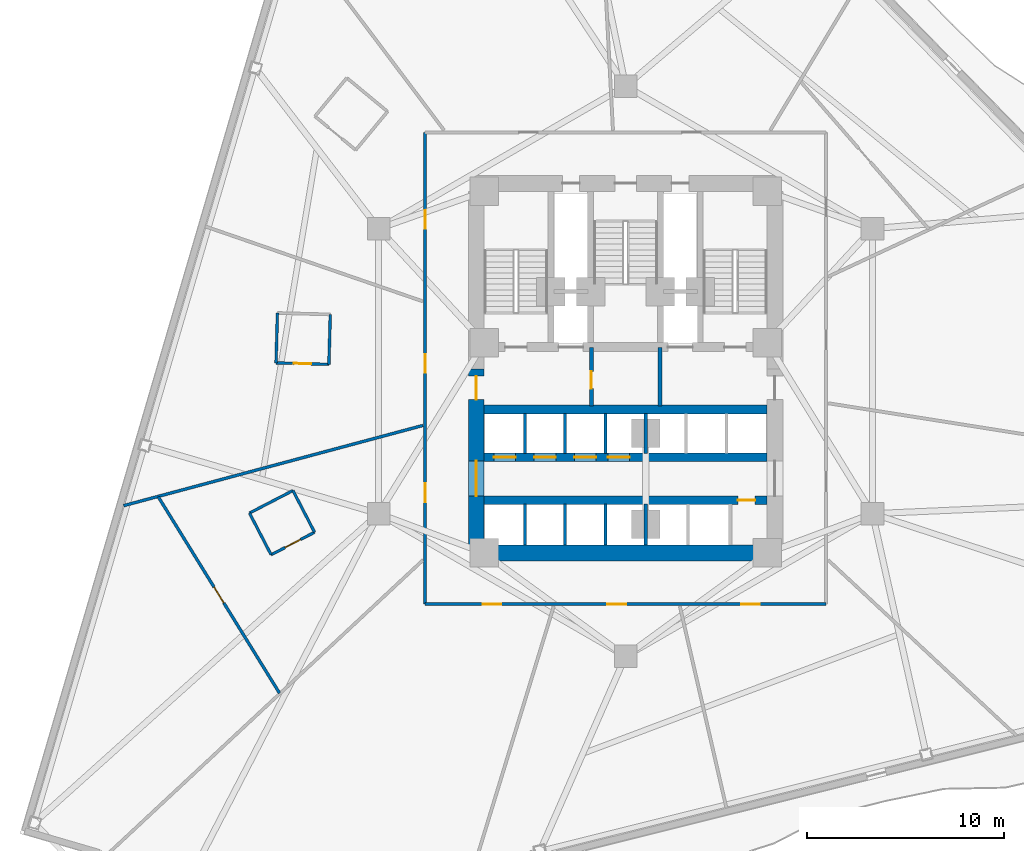
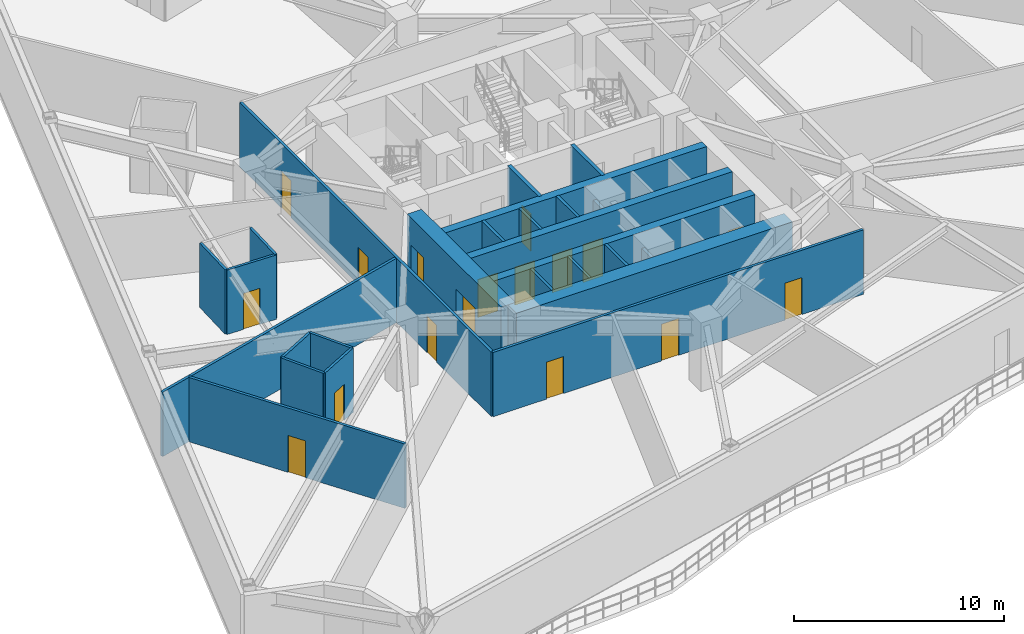
# One storey, part 3 of 9: 26 walls, 17 doors, 17 openings.
"""IFC4 building model written with IfcOpenShell, lengths in metres."""

from ifc_helpers import new_model, si_unit, direction, frame, frame_2d, origin, place, context, subcontext, project, spatial, rectangle, extrude, material, layer, layer_set, type_object, element, fill, save


model = new_model("IFC4")

# Units and contexts
model_context = context("Model", 3, precision=1e-05, world=origin(), true_north=direction((0.0, 1.0)))
body_context = subcontext(model_context, "Body", "Model", "MODEL_VIEW")
ifc_project = project(units=[si_unit("LENGTHUNIT", "METRE"), si_unit("AREAUNIT", "SQUARE_METRE"), si_unit("VOLUMEUNIT", "CUBIC_METRE"), si_unit("PLANEANGLEUNIT", "RADIAN"), si_unit("MASSUNIT", "GRAM", prefix="KILO")], contexts=[model_context])

# Site, building, storey
site_placement = place(None, origin())
site = spatial("IfcSite", under=ifc_project, at=site_placement, CompositionType="ELEMENT")
building_placement = place(site_placement, origin())
building = spatial("IfcBuilding", under=site, at=building_placement, Name="Apsidion Concourse Tower", CompositionType="ELEMENT")
storey_placement = place(building_placement, frame((0.0, 0.0, 111.0)))
storey = spatial("IfcBuildingStorey", under=building, at=storey_placement, Name="L25", CompositionType="ELEMENT", Elevation=111.0)

# Walls
ifc_material_1 = material(Name="Gypsum plasterboard partition")
ifc_layer_1 = layer(ifc_material_1, 0.139892578125)
ifc_layer_set_1 = layer_set([ifc_layer_1], Name="Gypsum plasterboard partition")
wall_type_1 = type_object("IfcWallType", Name="WL-INT-PAR-140", PredefinedType="PARTITIONING", material=ifc_layer_set_1)
wall_1_placement = place(storey_placement, frame((-16.921875, -6.073486328125, 0.0), z_axis=(0.0, 0.0, 1.0), x_axis=(-0.887781243054, -0.460265645559, 0.0)))
element("IfcWall", 1, at=wall_1_placement, inside=storey, type_object=wall_type_1, Name="L25 Interior Partition WL-L25-POD-HKAWC-S1", PredefinedType="PARTITIONING", context=body_context, shape_type="SweptSolid", body=[
    extrude(rectangle(XDim=2.48974609375, YDim=0.139892578125, at=frame_2d((1.244873046875, 0.0))), origin(), (0.0, 0.0, 1.0), 3.75),
])
wall_2_placement = place(storey_placement, frame((-19.13232421875, -7.219482421875, 0.0), z_axis=(0.0, 0.0, 1.0), x_axis=(0.460200871333, -0.887814821922, 0.0)))
element("IfcWall", 2, at=wall_2_placement, inside=storey, type_object=wall_type_1, Name="L25 Interior Partition WL-L25-POD-HKAWC-S2", PredefinedType="PARTITIONING", context=body_context, shape_type="SweptSolid", body=[
    extrude(rectangle(XDim=2.389892578125, YDim=0.139892578125, at=frame_2d((1.19482421875, 0.0))), origin(), (0.0, 0.0, 1.0), 3.75),
])

# Wall, opening, door
wall_3_placement = place(storey_placement, frame((-18.032470703125, -9.34130859375, 0.0), z_axis=(0.0, 0.0, 1.0), x_axis=(0.887821307868, 0.460188358496, 0.0)))
wall_3 = element("IfcWall", 3, at=wall_3_placement, inside=storey, type_object=wall_type_1, Name="L25 Interior Partition WL-L25-POD-HKAWC-S3", PredefinedType="PARTITIONING", context=body_context, shape_type="SweptSolid", body=[
    extrude(rectangle(XDim=2.48974609375, YDim=0.139892578125, at=frame_2d((1.244873046875, 0.0))), origin(), (0.0, 0.0, 1.0), 3.75),
])
opening_1_placement = place(wall_3_placement, frame((0.804931640625, 0.0, 0.0)))
opening_1 = element("IfcOpeningElement", 4, at=opening_1_placement, cuts=wall_3, Name="Opening D-03L", PredefinedType="OPENING", context=body_context, shape_type="SweptSolid", body=[
    extrude(rectangle(XDim=0.8798828125, YDim=2.10009765625, at=frame_2d((0.43994140625, 1.050048828125))), frame((0.0, 0.080078125, 0.0), z_axis=(0.0, -1.0, 0.0), x_axis=(1.0, 0.0, 0.0)), (0.0, 0.0, 1.0), 0.159912109375),
])
ifc_material_2 = material(Name="Anodised aluminium EN AW-6063 T6", Category="aluminium")
door_type_1 = type_object("IfcDoorType", Name="DR-INT-D03L", OperationType="SINGLE_SWING_LEFT", PredefinedType="DOOR", material=ifc_material_2)
door_1_placement = place(opening_1_placement, origin())
door_1 = element("IfcDoor", 5, at=door_1_placement, inside=storey, type_object=door_type_1, Name="L25 Hotel Accessible WC Door HKAWC", OperationType="SINGLE_SWING_LEFT", OverallHeight=2.10009765625, OverallWidth=0.8798828125, PredefinedType="DOOR", context=body_context, shape_type="SweptSolid", body=[
    extrude(rectangle(XDim=0.8798828125, YDim=2.10009765625, at=frame_2d((0.43994140625, 1.050048828125))), frame((0.0, 0.02490234375, 0.0), z_axis=(0.0, -1.0, 0.0), x_axis=(1.0, 0.0, 0.0)), (0.0, 0.0, 1.0), 0.050048828125),
])
fill(opening_1, door_1)

# Walls
wall_4_placement = place(storey_placement, frame((-15.822021484375, -8.195556640625, 0.0), z_axis=(0.0, 0.0, 1.0), x_axis=(-0.460159137491, 0.887836453511, 0.0)))
element("IfcWall", 6, at=wall_4_placement, inside=storey, type_object=wall_type_1, Name="L25 Interior Partition WL-L25-POD-HKAWC-S4", PredefinedType="PARTITIONING", context=body_context, shape_type="SweptSolid", body=[
    extrude(rectangle(XDim=2.39013671875, YDim=0.139892578125, at=frame_2d((1.195068359375, 0.0))), origin(), (0.0, 0.0, 1.0), 3.75),
])
wall_5_placement = place(storey_placement, frame((-17.711181640625, 2.959716796875, 0.0), z_axis=(0.0, 0.0, 1.0), x_axis=(-0.027873780836, -0.999611450686, 0.0)))
element("IfcWall", 7, at=wall_5_placement, inside=storey, type_object=wall_type_1, Name="L25 Interior Partition WL-L25-POD-ENS10-S2", PredefinedType="PARTITIONING", context=body_context, shape_type="SweptSolid", body=[
    extrude(rectangle(XDim=2.5400390625, YDim=0.139892578125, at=frame_2d((1.27001953125, 0.0))), origin(), (0.0, 0.0, 1.0), 3.75),
])

# Wall, opening, door
wall_6_placement = place(storey_placement, frame((-17.781982421875, 0.420654296875, 0.0), z_axis=(0.0, 0.0, 1.0), x_axis=(0.999609225093, -0.027953481145, 0.0)))
wall_6 = element("IfcWall", 8, at=wall_6_placement, inside=storey, type_object=wall_type_1, Name="L25 Interior Partition WL-L25-POD-ENS10-S3", PredefinedType="PARTITIONING", context=body_context, shape_type="SweptSolid", body=[
    extrude(rectangle(XDim=2.68994140625, YDim=0.139892578125, at=frame_2d((1.344970703125, 0.0))), origin(), (0.0, 0.0, 1.0), 3.75),
])
opening_2_placement = place(wall_6_placement, frame((0.905029296875, 0.0, 0.0)))
opening_2 = element("IfcOpeningElement", 9, at=opening_2_placement, cuts=wall_6, Name="Opening D-03L", PredefinedType="OPENING", context=body_context, shape_type="SweptSolid", body=[
    extrude(rectangle(XDim=0.8798828125, YDim=2.10009765625, at=frame_2d((0.43994140625, 1.050048828125))), frame((0.0, 0.080078125, 0.0), z_axis=(0.0, -1.0, 0.0), x_axis=(1.0, 0.0, 0.0)), (0.0, 0.0, 1.0), 0.159912109375),
])
door_2_placement = place(opening_2_placement, origin())
door_2 = element("IfcDoor", 10, at=door_2_placement, inside=storey, type_object=door_type_1, Name="L25 Guest En-Suite Bathroom Door ENS10", OperationType="SINGLE_SWING_LEFT", OverallHeight=2.10009765625, OverallWidth=0.8798828125, PredefinedType="DOOR", context=body_context, shape_type="SweptSolid", body=[
    extrude(rectangle(XDim=0.8798828125, YDim=2.10009765625, at=frame_2d((0.43994140625, 1.050048828125))), frame((0.0, 0.02490234375, 0.0), z_axis=(0.0, -1.0, 0.0), x_axis=(1.0, 0.0, 0.0)), (0.0, 0.0, 1.0), 0.050048828125),
])
fill(opening_2, door_2)

# Walls
wall_7_placement = place(storey_placement, frame((-15.093017578125, 0.345458984375, 0.0), z_axis=(0.0, 0.0, 1.0), x_axis=(0.027873780836, 0.999611450686, 0.0)))
element("IfcWall", 11, at=wall_7_placement, inside=storey, type_object=wall_type_1, Name="L25 Interior Partition WL-L25-POD-ENS10-S4", PredefinedType="PARTITIONING", context=body_context, shape_type="SweptSolid", body=[
    extrude(rectangle(XDim=2.5400390625, YDim=0.139892578125, at=frame_2d((1.27001953125, 0.0))), origin(), (0.0, 0.0, 1.0), 3.75),
])
ifc_layer_2 = layer(ifc_material_1, 0.14990234375)
ifc_layer_set_2 = layer_set([ifc_layer_2], Name="Gypsum plasterboard partition")
wall_type_2 = type_object("IfcWallType", Name="WL-INT-PAR-150", PredefinedType="PARTITIONING", material=ifc_layer_set_2)
for number, where, z_axis, x_axis, name in (
    (12, (-5.125, -4.179931640625, 0.0), (0.0, 0.0, 1.0), (0.0, 1.0, 0.0), "L25 Interior Partition WL-L25-B1DIV-1"),
    (13, (-3.074951171875, -4.179931640625, 0.0), (0.0, 0.0, 1.0), (0.0, 1.0, 0.0), "L25 Interior Partition WL-L25-B1DIV-2"),
    (14, (-1.02490234375, -4.179931640625, 0.0), (0.0, 0.0, 1.0), (0.0, 1.0, 0.0), "L25 Interior Partition WL-L25-B1DIV-3"),
):
    element("IfcWall", number, at=place(storey_placement, frame(where, z_axis=z_axis, x_axis=x_axis)), inside=storey, type_object=wall_type_2, Name=name, PredefinedType="PARTITIONING", context=body_context, shape_type="SweptSolid", body=[
        extrude(rectangle(XDim=2.030029296875, YDim=0.14990234375, at=frame_2d((1.01513671875, 0.0))), origin(), (0.0, 0.0, 1.0), 3.75),
    ])
for number, where, z_axis, x_axis, name in (
    (15, (-5.125, -8.85009765625, 0.0), (0.0, 0.0, 1.0), (0.0, 1.0, 0.0), "L25 Interior Partition WL-L25-B2DIV-1"),
    (16, (-3.074951171875, -8.85009765625, 0.0), (0.0, 0.0, 1.0), (0.0, 1.0, 0.0), "L25 Interior Partition WL-L25-B2DIV-2"),
    (17, (-1.02490234375, -8.85009765625, 0.0), (0.0, 0.0, 1.0), (0.0, 1.0, 0.0), "L25 Interior Partition WL-L25-B2DIV-3"),
):
    element("IfcWall", number, at=place(storey_placement, frame(where, z_axis=z_axis, x_axis=x_axis)), inside=storey, type_object=wall_type_2, Name=name, PredefinedType="PARTITIONING", context=body_context, shape_type="SweptSolid", body=[
        extrude(rectangle(XDim=2.080078125, YDim=0.14990234375, at=frame_2d((1.0400390625, 0.0))), origin(), (0.0, 0.0, 1.0), 3.75),
    ])

# Wall, openings, doors
wall_8_placement = place(storey_placement, frame((10.199951171875, -11.85009765625, 0.0), z_axis=(0.0, 0.0, 1.0), x_axis=(-1.0, 0.0, 0.0)))
wall_8 = element("IfcWall", 18, at=wall_8_placement, inside=storey, type_object=wall_type_2, Name="L25 Interior Partition WL-L25-CORR-03", PredefinedType="PARTITIONING", context=body_context, shape_type="SweptSolid", body=[
    extrude(rectangle(XDim=20.39990234375, YDim=0.14990234375, at=frame_2d((10.199951171875, 0.0))), origin(), (0.0, 0.0, 1.0), 3.75),
])
opening_3_placement = place(wall_8_placement, frame((16.522216796875, 0.0, 0.0)))
opening_3 = element("IfcOpeningElement", 19, at=opening_3_placement, cuts=wall_8, Name="Opening D-01R", PredefinedType="OPENING", context=body_context, shape_type="SweptSolid", body=[
    extrude(rectangle(XDim=0.949951171875, YDim=2.14990234375, at=frame_2d((0.47509765625, 1.074951171875))), frame((0.0, 0.0849609375, 0.0), z_axis=(0.0, -1.0, 0.0), x_axis=(1.0, 0.0, 0.0)), (0.0, 0.0, 1.0), 0.169921875),
])
opening_4_placement = place(wall_8_placement, frame((10.171875, 0.0, 0.0)))
opening_4 = element("IfcOpeningElement", 20, at=opening_4_placement, cuts=wall_8, Name="Opening D-01L", PredefinedType="OPENING", context=body_context, shape_type="SweptSolid", body=[
    extrude(rectangle(XDim=0.949951171875, YDim=2.14990234375, at=frame_2d((0.47509765625, 1.074951171875))), frame((0.0, 0.0849609375, 0.0), z_axis=(0.0, -1.0, 0.0), x_axis=(1.0, 0.0, 0.0)), (0.0, 0.0, 1.0), 0.169921875),
])
opening_5_placement = place(wall_8_placement, frame((3.37451171875, 0.0, 0.0)))
opening_5 = element("IfcOpeningElement", 21, at=opening_5_placement, cuts=wall_8, Name="Opening D-01R", PredefinedType="OPENING", context=body_context, shape_type="SweptSolid", body=[
    extrude(rectangle(XDim=0.949951171875, YDim=2.14990234375, at=frame_2d((0.47509765625, 1.074951171875))), frame((0.0, 0.0849609375, 0.0), z_axis=(0.0, -1.0, 0.0), x_axis=(1.0, 0.0, 0.0)), (0.0, 0.0, 1.0), 0.169921875),
])
ifc_material_3 = material(Name="Brushed stainless steel 316", Category="steel")
door_type_2 = type_object("IfcDoorType", Name="DR-INT-D01L", OperationType="SINGLE_SWING_LEFT", PredefinedType="DOOR", material=ifc_material_3)
door_3_placement = place(opening_4_placement, origin())
door_3 = element("IfcDoor", 22, at=door_3_placement, inside=storey, type_object=door_type_2, Name="L25 Corridor Entry Door 03", OperationType="SINGLE_SWING_LEFT", OverallHeight=2.14990234375, OverallWidth=0.949951171875, PredefinedType="DOOR", context=body_context, shape_type="SweptSolid", body=[
    extrude(rectangle(XDim=0.949951171875, YDim=2.14990234375, at=frame_2d((0.47509765625, 1.074951171875))), frame((0.0, 0.02490234375, 0.0), z_axis=(0.0, -1.0, 0.0), x_axis=(1.0, 0.0, 0.0)), (0.0, 0.0, 1.0), 0.050048828125),
])
fill(opening_4, door_3)
door_type_3 = type_object("IfcDoorType", Name="DR-INT-D01R", OperationType="SINGLE_SWING_RIGHT", PredefinedType="DOOR", material=ifc_material_3)
door_4_placement = place(opening_3_placement, origin())
door_4 = element("IfcDoor", 23, at=door_4_placement, inside=storey, type_object=door_type_3, Name="L25 Corridor Entry Door 02", OperationType="SINGLE_SWING_RIGHT", OverallHeight=2.14990234375, OverallWidth=0.949951171875, PredefinedType="DOOR", context=body_context, shape_type="SweptSolid", body=[
    extrude(rectangle(XDim=0.949951171875, YDim=2.14990234375, at=frame_2d((0.47509765625, 1.074951171875))), frame((0.0, 0.02490234375, 0.0), z_axis=(0.0, -1.0, 0.0), x_axis=(1.0, 0.0, 0.0)), (0.0, 0.0, 1.0), 0.050048828125),
])
fill(opening_3, door_4)
door_5_placement = place(opening_5_placement, origin())
door_5 = element("IfcDoor", 24, at=door_5_placement, inside=storey, type_object=door_type_3, Name="L25 Corridor Entry Door 04", OperationType="SINGLE_SWING_RIGHT", OverallHeight=2.14990234375, OverallWidth=0.949951171875, PredefinedType="DOOR", context=body_context, shape_type="SweptSolid", body=[
    extrude(rectangle(XDim=0.949951171875, YDim=2.14990234375, at=frame_2d((0.47509765625, 1.074951171875))), frame((0.0, 0.02490234375, 0.0), z_axis=(0.0, -1.0, 0.0), x_axis=(1.0, 0.0, 0.0)), (0.0, 0.0, 1.0), 0.050048828125),
])
fill(opening_5, door_5)

wall_9_placement = place(storey_placement, frame((-10.199951171875, -11.85009765625, 0.0), z_axis=(0.0, 0.0, 1.0), x_axis=(0.0, 1.0, 0.0)))
wall_9 = element("IfcWall", 25, at=wall_9_placement, inside=storey, type_object=wall_type_2, Name="L25 Interior Partition WL-L25-CORR-04", PredefinedType="PARTITIONING", context=body_context, shape_type="SweptSolid", body=[
    extrude(rectangle(XDim=24.0, YDim=0.14990234375, at=frame_2d((12.0, 0.0))), origin(), (0.0, 0.0, 1.0), 3.75),
])
opening_6_placement = place(wall_9_placement, frame((5.1865234375, 0.0, 0.0)))
opening_6 = element("IfcOpeningElement", 26, at=opening_6_placement, cuts=wall_9, Name="Opening D-01L", PredefinedType="OPENING", context=body_context, shape_type="SweptSolid", body=[
    extrude(rectangle(XDim=0.949951171875, YDim=2.14990234375, at=frame_2d((0.47509765625, 1.074951171875))), frame((0.0, 0.0849609375, 0.0), z_axis=(0.0, -1.0, 0.0), x_axis=(1.0, 0.0, 0.0)), (0.0, 0.0, 1.0), 0.169921875),
])
opening_7_placement = place(wall_9_placement, frame((19.094482421875, 0.0, 0.0)))
opening_7 = element("IfcOpeningElement", 27, at=opening_7_placement, cuts=wall_9, Name="Opening D-01R", PredefinedType="OPENING", context=body_context, shape_type="SweptSolid", body=[
    extrude(rectangle(XDim=0.949951171875, YDim=2.14990234375, at=frame_2d((0.47509765625, 1.074951171875))), frame((0.0, 0.0849609375, 0.0), z_axis=(0.0, -1.0, 0.0), x_axis=(1.0, 0.0, 0.0)), (0.0, 0.0, 1.0), 0.169921875),
])
opening_8_placement = place(wall_9_placement, frame((11.767333984375, 0.0, 0.0)))
opening_8 = element("IfcOpeningElement", 28, at=opening_8_placement, cuts=wall_9, Name="Opening D-01L", PredefinedType="OPENING", context=body_context, shape_type="SweptSolid", body=[
    extrude(rectangle(XDim=0.949951171875, YDim=2.14990234375, at=frame_2d((0.47509765625, 1.074951171875))), frame((0.0, 0.0849609375, 0.0), z_axis=(0.0, -1.0, 0.0), x_axis=(1.0, 0.0, 0.0)), (0.0, 0.0, 1.0), 0.169921875),
])
door_6_placement = place(opening_6_placement, origin())
door_6 = element("IfcDoor", 29, at=door_6_placement, inside=storey, type_object=door_type_2, Name="L25 Corridor Entry Door 01", OperationType="SINGLE_SWING_LEFT", OverallHeight=2.14990234375, OverallWidth=0.949951171875, PredefinedType="DOOR", context=body_context, shape_type="SweptSolid", body=[
    extrude(rectangle(XDim=0.949951171875, YDim=2.14990234375, at=frame_2d((0.47509765625, 1.074951171875))), frame((0.0, 0.02490234375, 0.0), z_axis=(0.0, -1.0, 0.0), x_axis=(1.0, 0.0, 0.0)), (0.0, 0.0, 1.0), 0.050048828125),
])
fill(opening_6, door_6)
door_7_placement = place(opening_8_placement, origin())
door_7 = element("IfcDoor", 30, at=door_7_placement, inside=storey, type_object=door_type_2, Name="L25 Corridor Entry Door 11", OperationType="SINGLE_SWING_LEFT", OverallHeight=2.14990234375, OverallWidth=0.949951171875, PredefinedType="DOOR", context=body_context, shape_type="SweptSolid", body=[
    extrude(rectangle(XDim=0.949951171875, YDim=2.14990234375, at=frame_2d((0.47509765625, 1.074951171875))), frame((0.0, 0.02490234375, 0.0), z_axis=(0.0, -1.0, 0.0), x_axis=(1.0, 0.0, 0.0)), (0.0, 0.0, 1.0), 0.050048828125),
])
fill(opening_8, door_7)
door_8_placement = place(opening_7_placement, origin())
door_8 = element("IfcDoor", 31, at=door_8_placement, inside=storey, type_object=door_type_3, Name="L25 Corridor Entry Door 10", OperationType="SINGLE_SWING_RIGHT", OverallHeight=2.14990234375, OverallWidth=0.949951171875, PredefinedType="DOOR", context=body_context, shape_type="SweptSolid", body=[
    extrude(rectangle(XDim=0.949951171875, YDim=2.14990234375, at=frame_2d((0.47509765625, 1.074951171875))), frame((0.0, 0.02490234375, 0.0), z_axis=(0.0, -1.0, 0.0), x_axis=(1.0, 0.0, 0.0)), (0.0, 0.0, 1.0), 0.050048828125),
])
fill(opening_7, door_8)

# Wall
wall_10_placement = place(storey_placement, frame((-10.304931640625, -2.76123046875, 0.0), z_axis=(0.0, 0.0, 1.0), x_axis=(-0.965926903589, -0.258815024531, 0.0)))
element("IfcWall", 32, at=wall_10_placement, inside=storey, type_object=wall_type_2, Name="L25 Interior Partition WL-L25-RAD-06-1", PredefinedType="PARTITIONING", context=body_context, shape_type="SweptSolid", body=[
    extrude(rectangle(XDim=15.768310546875, YDim=0.14990234375, at=frame_2d((7.88427734375, 0.0))), origin(), (0.0, 0.0, 1.0), 3.75),
])

# Wall, opening, door
wall_11_placement = place(storey_placement, frame((-23.771240234375, -6.3955078125, 0.0), z_axis=(0.0, 0.0, 1.0), x_axis=(0.525453466411, -0.850822340232, 0.0)))
wall_11 = element("IfcWall", 33, at=wall_11_placement, inside=storey, type_object=wall_type_2, Name="L25 Interior Partition WL-L25-CHD-HKWC", PredefinedType="PARTITIONING", context=body_context, shape_type="SweptSolid", body=[
    extrude(rectangle(XDim=11.737060546875, YDim=0.14990234375, at=frame_2d((5.86865234375, 0.0))), origin(), (0.0, 0.0, 1.0), 3.75),
])
opening_9_placement = place(wall_11_placement, frame((5.3935546875, 0.0, 0.0)))
opening_9 = element("IfcOpeningElement", 34, at=opening_9_placement, cuts=wall_11, Name="Opening D-04R", PredefinedType="OPENING", context=body_context, shape_type="SweptSolid", body=[
    extrude(rectangle(XDim=0.949951171875, YDim=2.14990234375, at=frame_2d((0.47509765625, 1.074951171875))), frame((0.0, 0.0849609375, 0.0), z_axis=(0.0, -1.0, 0.0), x_axis=(1.0, 0.0, 0.0)), (0.0, 0.0, 1.0), 0.169921875),
])
door_type_4 = type_object("IfcDoorType", Name="DR-INT-D04R", OperationType="SINGLE_SWING_RIGHT", PredefinedType="DOOR", material=ifc_material_3)
door_9_placement = place(opening_9_placement, origin())
door_9 = element("IfcDoor", 35, at=door_9_placement, inside=storey, type_object=door_type_4, Name="L25 Suite Connecting Door HKWC", OperationType="SINGLE_SWING_RIGHT", OverallHeight=2.14990234375, OverallWidth=0.949951171875, PredefinedType="DOOR", context=body_context, shape_type="SweptSolid", body=[
    extrude(rectangle(XDim=0.949951171875, YDim=2.14990234375, at=frame_2d((0.47509765625, 1.074951171875))), frame((0.0, 0.02490234375, 0.0), z_axis=(0.0, -1.0, 0.0), x_axis=(1.0, 0.0, 0.0)), (0.0, 0.0, 1.0), 0.050048828125),
])
fill(opening_9, door_9)

# Walls
ifc_layer_3 = layer(ifc_material_1, 0.179931640625)
ifc_layer_set_3 = layer_set([ifc_layer_3], Name="Gypsum plasterboard partition")
wall_type_3 = type_object("IfcWallType", Name="WL-INT-PAR-180", PredefinedType="PARTITIONING", material=ifc_layer_set_3)
wall_12_placement = place(storey_placement, frame((1.02490234375, -4.179931640625, 0.0), z_axis=(0.0, 0.0, 1.0), x_axis=(0.0, 1.0, 0.0)))
element("IfcWall", 36, at=wall_12_placement, inside=storey, type_object=wall_type_3, Name="L25 Interior Partition WL-L25-B1END", PredefinedType="PARTITIONING", context=body_context, shape_type="SweptSolid", body=[
    extrude(rectangle(XDim=2.030029296875, YDim=0.179931640625, at=frame_2d((1.01513671875, 0.0))), origin(), (0.0, 0.0, 1.0), 2.798095703125),
])
wall_13_placement = place(storey_placement, frame((1.02490234375, -8.85009765625, 0.0), z_axis=(0.0, 0.0, 1.0), x_axis=(0.0, 1.0, 0.0)))
element("IfcWall", 37, at=wall_13_placement, inside=storey, type_object=wall_type_3, Name="L25 Interior Partition WL-L25-B2END", PredefinedType="PARTITIONING", context=body_context, shape_type="SweptSolid", body=[
    extrude(rectangle(XDim=2.080078125, YDim=0.179931640625, at=frame_2d((1.0400390625, 0.0))), origin(), (0.0, 0.0, 1.0), 2.798095703125),
])

# Wall, opening, door
ifc_layer_4 = layer(ifc_material_1, 0.199951171875)
ifc_layer_set_4 = layer_set([ifc_layer_4], Name="Gypsum plasterboard partition")
wall_type_4 = type_object("IfcWallType", Name="WL-INT-PAR-200", PredefinedType="PARTITIONING", material=ifc_layer_set_4)
wall_14_placement = place(storey_placement, frame((-1.739990234375, -1.780029296875, 0.0), z_axis=(0.0, 0.0, 1.0), x_axis=(0.0, 1.0, 0.0)))
wall_14 = element("IfcWall", 38, at=wall_14_placement, inside=storey, type_object=wall_type_4, Name="L25 Interior Partition WL-L25-FF1-E", PredefinedType="PARTITIONING", context=body_context, shape_type="SweptSolid", body=[
    extrude(rectangle(XDim=2.97998046875, YDim=0.199951171875, at=frame_2d((1.489990234375, 0.0))), origin(), (0.0, 0.0, 1.0), 3.75),
])
opening_10_placement = place(wall_14_placement, frame((0.889892578125, 0.0, 0.0)))
opening_10 = element("IfcOpeningElement", 39, at=opening_10_placement, cuts=wall_14, Name="Opening D-05R", PredefinedType="OPENING", context=body_context, shape_type="SweptSolid", body=[
    extrude(rectangle(XDim=0.8798828125, YDim=2.14990234375, at=frame_2d((0.43994140625, 1.074951171875))), frame((0.0, 0.10986328125, 0.0), z_axis=(0.0, -1.0, 0.0), x_axis=(1.0, 0.0, 0.0)), (0.0, 0.0, 1.0), 0.219970703125),
])
door_type_5 = type_object("IfcDoorType", Name="DR-INT-D05R", OperationType="SINGLE_SWING_RIGHT", PredefinedType="DOOR", material=ifc_material_3)
door_10_placement = place(opening_10_placement, origin())
door_10 = element("IfcDoor", 40, at=door_10_placement, inside=storey, type_object=door_type_5, Name="L25 Core BMS Door", OperationType="SINGLE_SWING_RIGHT", OverallHeight=2.14990234375, OverallWidth=0.8798828125, PredefinedType="DOOR", context=body_context, shape_type="SweptSolid", body=[
    extrude(rectangle(XDim=0.8798828125, YDim=2.14990234375, at=frame_2d((0.43994140625, 1.074951171875))), frame((0.0, 0.02490234375, 0.0), z_axis=(0.0, -1.0, 0.0), x_axis=(1.0, 0.0, 0.0)), (0.0, 0.0, 1.0), 0.050048828125),
])
fill(opening_10, door_10)

# Walls
wall_15_placement = place(storey_placement, frame((1.739990234375, -1.780029296875, 0.0), z_axis=(0.0, 0.0, 1.0), x_axis=(0.0, 1.0, 0.0)))
element("IfcWall", 41, at=wall_15_placement, inside=storey, type_object=wall_type_4, Name="L25 Interior Partition WL-L25-FF2-W", PredefinedType="PARTITIONING", context=body_context, shape_type="SweptSolid", body=[
    extrude(rectangle(XDim=2.97998046875, YDim=0.199951171875, at=frame_2d((1.489990234375, 0.0))), origin(), (0.0, 0.0, 1.0), 3.75),
])
ifc_material_4 = material(Name="Concrete C60/75", Category="concrete")
ifc_layer_5 = layer(ifc_material_4, 0.449951171875)
ifc_layer_set_5 = layer_set([ifc_layer_5], Name="Concrete C60/75")
wall_type_5 = type_object("IfcWallType", Name="WL-SH-450", PredefinedType="SHEAR", material=ifc_layer_set_5)
wall_16_placement = place(storey_placement, frame((-7.199951171875, -1.949951171875, 0.0), z_axis=(0.0, 0.0, 1.0), x_axis=(1.0, 0.0, 0.0)))
element("IfcWall", 42, at=wall_16_placement, inside=storey, type_object=wall_type_5, Name="L25 Central Core Shear Wall M2", PredefinedType="SHEAR", context=body_context, shape_type="SweptSolid", body=[
    extrude(rectangle(XDim=14.39990234375, YDim=0.449951171875, at=frame_2d((7.199951171875, 0.0))), origin(), (0.0, 0.0, 1.0), 3.75),
])

# Wall, openings, doors
wall_17_placement = place(storey_placement, frame((-7.199951171875, -4.3798828125, 0.0), z_axis=(0.0, 0.0, 1.0), x_axis=(1.0, 0.0, 0.0)))
wall_17 = element("IfcWall", 43, at=wall_17_placement, inside=storey, type_object=wall_type_5, Name="L25 Central Core Shear Wall LA", PredefinedType="SHEAR", context=body_context, shape_type="SweptSolid", body=[
    extrude(rectangle(XDim=14.39990234375, YDim=0.449951171875, at=frame_2d((7.199951171875, 0.0))), origin(), (0.0, 0.0, 1.0), 3.75),
])
opening_11_placement = place(wall_17_placement, frame((0.5, 0.0, 0.0)))
opening_11 = element("IfcOpeningElement", 44, at=opening_11_placement, cuts=wall_17, Name="Opening LD-P1", PredefinedType="OPENING", context=body_context, shape_type="SweptSolid", body=[
    extrude(rectangle(XDim=1.10009765625, YDim=2.199951171875, at=frame_2d((0.550048828125, 1.10009765625))), frame((0.0, 0.23486328125, 0.0), z_axis=(0.0, -1.0, 0.0), x_axis=(1.0, 0.0, 0.0)), (0.0, 0.0, 1.0), 0.469970703125),
])
opening_12_placement = place(wall_17_placement, frame((2.550048828125, 0.0, 0.0)))
opening_12 = element("IfcOpeningElement", 45, at=opening_12_placement, cuts=wall_17, Name="Opening LD-P1", PredefinedType="OPENING", context=body_context, shape_type="SweptSolid", body=[
    extrude(rectangle(XDim=1.10009765625, YDim=2.199951171875, at=frame_2d((0.550048828125, 1.10009765625))), frame((0.0, 0.23486328125, 0.0), z_axis=(0.0, -1.0, 0.0), x_axis=(1.0, 0.0, 0.0)), (0.0, 0.0, 1.0), 0.469970703125),
])
opening_13_placement = place(wall_17_placement, frame((4.60009765625, 0.0, 0.0)))
opening_13 = element("IfcOpeningElement", 46, at=opening_13_placement, cuts=wall_17, Name="Opening LD-P1", PredefinedType="OPENING", context=body_context, shape_type="SweptSolid", body=[
    extrude(rectangle(XDim=1.10009765625, YDim=2.199951171875, at=frame_2d((0.550048828125, 1.10009765625))), frame((0.0, 0.23486328125, 0.0), z_axis=(0.0, -1.0, 0.0), x_axis=(1.0, 0.0, 0.0)), (0.0, 0.0, 1.0), 0.469970703125),
])
opening_14_placement = place(wall_17_placement, frame((6.300048828125, 0.0, 0.0)))
opening_14 = element("IfcOpeningElement", 47, at=opening_14_placement, cuts=wall_17, Name="Opening LD-P1", PredefinedType="OPENING", context=body_context, shape_type="SweptSolid", body=[
    extrude(rectangle(XDim=1.10009765625, YDim=2.199951171875, at=frame_2d((0.550048828125, 1.10009765625))), frame((0.0, 0.23486328125, 0.0), z_axis=(0.0, -1.0, 0.0), x_axis=(1.0, 0.0, 0.0)), (0.0, 0.0, 1.0), 0.469970703125),
])
door_type_6 = type_object("IfcDoorType", Name="DR-LD-PASS", OperationType="DOUBLE_DOOR_SLIDING", PredefinedType="DOOR", material=ifc_material_3)
door_11_placement = place(opening_11_placement, origin())
door_11 = element("IfcDoor", 48, at=door_11_placement, inside=storey, type_object=door_type_6, Name="L25 Lift Landing Door P1", OperationType="DOUBLE_DOOR_SLIDING", OverallHeight=2.199951171875, OverallWidth=1.10009765625, PredefinedType="DOOR", context=body_context, shape_type="SweptSolid", body=[
    extrude(rectangle(XDim=1.10009765625, YDim=2.199951171875, at=frame_2d((0.550048828125, 1.10009765625))), frame((0.0, 0.02490234375, 0.0), z_axis=(0.0, -1.0, 0.0), x_axis=(1.0, 0.0, 0.0)), (0.0, 0.0, 1.0), 0.050048828125),
])
fill(opening_11, door_11)
door_12_placement = place(opening_12_placement, origin())
door_12 = element("IfcDoor", 49, at=door_12_placement, inside=storey, type_object=door_type_6, Name="L25 Lift Landing Door P2", OperationType="DOUBLE_DOOR_SLIDING", OverallHeight=2.199951171875, OverallWidth=1.10009765625, PredefinedType="DOOR", context=body_context, shape_type="SweptSolid", body=[
    extrude(rectangle(XDim=1.10009765625, YDim=2.199951171875, at=frame_2d((0.550048828125, 1.10009765625))), frame((0.0, 0.02490234375, 0.0), z_axis=(0.0, -1.0, 0.0), x_axis=(1.0, 0.0, 0.0)), (0.0, 0.0, 1.0), 0.050048828125),
])
fill(opening_12, door_12)
door_13_placement = place(opening_13_placement, origin())
door_13 = element("IfcDoor", 50, at=door_13_placement, inside=storey, type_object=door_type_6, Name="L25 Lift Landing Door P3", OperationType="DOUBLE_DOOR_SLIDING", OverallHeight=2.199951171875, OverallWidth=1.10009765625, PredefinedType="DOOR", context=body_context, shape_type="SweptSolid", body=[
    extrude(rectangle(XDim=1.10009765625, YDim=2.199951171875, at=frame_2d((0.550048828125, 1.10009765625))), frame((0.0, 0.02490234375, 0.0), z_axis=(0.0, -1.0, 0.0), x_axis=(1.0, 0.0, 0.0)), (0.0, 0.0, 1.0), 0.050048828125),
])
fill(opening_13, door_13)
door_14_placement = place(opening_14_placement, origin())
door_14 = element("IfcDoor", 51, at=door_14_placement, inside=storey, type_object=door_type_6, Name="L25 Lift Landing Door P4", OperationType="DOUBLE_DOOR_SLIDING", OverallHeight=2.199951171875, OverallWidth=1.10009765625, PredefinedType="DOOR", context=body_context, shape_type="SweptSolid", body=[
    extrude(rectangle(XDim=1.10009765625, YDim=2.199951171875, at=frame_2d((0.550048828125, 1.10009765625))), frame((0.0, 0.02490234375, 0.0), z_axis=(0.0, -1.0, 0.0), x_axis=(1.0, 0.0, 0.0)), (0.0, 0.0, 1.0), 0.050048828125),
])
fill(opening_14, door_14)

# Wall, opening, door
wall_18_placement = place(storey_placement, frame((-7.199951171875, -6.570068359375, 0.0), z_axis=(0.0, 0.0, 1.0), x_axis=(1.0, 0.0, 0.0)))
wall_18 = element("IfcWall", 52, at=wall_18_placement, inside=storey, type_object=wall_type_5, Name="L25 Central Core Shear Wall LB", PredefinedType="SHEAR", context=body_context, shape_type="SweptSolid", body=[
    extrude(rectangle(XDim=14.39990234375, YDim=0.449951171875, at=frame_2d((7.199951171875, 0.0))), origin(), (0.0, 0.0, 1.0), 3.75),
])
opening_15_placement = place(wall_18_placement, frame((12.909912109375, 0.0, 0.0)))
opening_15 = element("IfcOpeningElement", 53, at=opening_15_placement, cuts=wall_18, Name="Opening D-05L", PredefinedType="OPENING", context=body_context, shape_type="SweptSolid", body=[
    extrude(rectangle(XDim=0.8798828125, YDim=2.14990234375, at=frame_2d((0.43994140625, 1.074951171875))), frame((0.0, 0.23486328125, 0.0), z_axis=(0.0, -1.0, 0.0), x_axis=(1.0, 0.0, 0.0)), (0.0, 0.0, 1.0), 0.469970703125),
])
door_type_7 = type_object("IfcDoorType", Name="DR-INT-D05L", OperationType="SINGLE_SWING_LEFT", PredefinedType="DOOR", material=ifc_material_3)
door_15_placement = place(opening_15_placement, origin())
door_15 = element("IfcDoor", 54, at=door_15_placement, inside=storey, type_object=door_type_7, Name="L25 Cleaners Store Door", OperationType="SINGLE_SWING_LEFT", OverallHeight=2.14990234375, OverallWidth=0.8798828125, PredefinedType="DOOR", context=body_context, shape_type="SweptSolid", body=[
    extrude(rectangle(XDim=0.8798828125, YDim=2.14990234375, at=frame_2d((0.43994140625, 1.074951171875))), frame((0.0, 0.02490234375, 0.0), z_axis=(0.0, -1.0, 0.0), x_axis=(1.0, 0.0, 0.0)), (0.0, 0.0, 1.0), 0.050048828125),
])
fill(opening_15, door_15)

# Wall, openings, doors
ifc_layer_6 = layer(ifc_material_4, 0.800048828125)
ifc_layer_set_6 = layer_set([ifc_layer_6], Name="Concrete C60/75")
wall_type_6 = type_object("IfcWallType", Name="WL-SH-800", PredefinedType="SHEAR", material=ifc_layer_set_6)
wall_19_placement = place(storey_placement, frame((-7.60009765625, -8.85009765625, 0.0), z_axis=(0.0, 0.0, 1.0), x_axis=(0.0, 1.0, 0.0)))
wall_19 = element("IfcWall", 55, at=wall_19_placement, inside=storey, type_object=wall_type_6, Name="L25 Central Core Shear Wall WS", PredefinedType="SHEAR", context=body_context, shape_type="SweptSolid", body=[
    extrude(rectangle(XDim=8.9501953125, YDim=0.800048828125, at=frame_2d((4.47509765625, 0.0))), origin(), (0.0, 0.0, 1.0), 3.75),
])
opening_16_placement = place(wall_19_placement, frame((2.489990234375, 0.0, 0.0)))
opening_16 = element("IfcOpeningElement", 56, at=opening_16_placement, cuts=wall_19, Name="Opening D-06D", PredefinedType="OPENING", context=body_context, shape_type="SweptSolid", body=[
    extrude(rectangle(XDim=1.800048828125, YDim=2.199951171875, at=frame_2d((0.89990234375, 1.10009765625))), frame((0.0, 0.41015625, 0.0), z_axis=(0.0, -1.0, 0.0), x_axis=(1.0, 0.0, 0.0)), (0.0, 0.0, 1.0), 0.820068359375),
])
opening_17_placement = place(wall_19_placement, frame((7.39990234375, 0.0, 0.0)))
opening_17 = element("IfcOpeningElement", 57, at=opening_17_placement, cuts=wall_19, Name="Opening D-FFL", PredefinedType="OPENING", context=body_context, shape_type="SweptSolid", body=[
    extrude(rectangle(XDim=1.199951171875, YDim=2.14990234375, at=frame_2d((0.60009765625, 1.074951171875))), frame((0.0, 0.41015625, 0.0), z_axis=(0.0, -1.0, 0.0), x_axis=(1.0, 0.0, 0.0)), (0.0, 0.0, 1.0), 0.820068359375),
])
door_type_8 = type_object("IfcDoorType", Name="DR-INT-D06D", OperationType="DOUBLE_DOOR_SINGLE_SWING", PredefinedType="DOOR", material=ifc_material_3)
door_16_placement = place(opening_16_placement, origin())
door_16 = element("IfcDoor", 58, at=door_16_placement, inside=storey, type_object=door_type_8, Name="L25 Passenger Lift Lobby WS Portal Door", OperationType="DOUBLE_DOOR_SINGLE_SWING", OverallHeight=2.199951171875, OverallWidth=1.800048828125, PredefinedType="DOOR", context=body_context, shape_type="SweptSolid", body=[
    extrude(rectangle(XDim=1.800048828125, YDim=2.199951171875, at=frame_2d((0.89990234375, 1.10009765625))), frame((0.0, 0.02490234375, 0.0), z_axis=(0.0, -1.0, 0.0), x_axis=(1.0, 0.0, 0.0)), (0.0, 0.0, 1.0), 0.050048828125),
])
fill(opening_16, door_16)
door_type_9 = type_object("IfcDoorType", Name="DR-INT-FFL", OperationType="SINGLE_SWING_LEFT", PredefinedType="DOOR", material=ifc_material_3)
door_17_placement = place(opening_17_placement, origin())
door_17 = element("IfcDoor", 59, at=door_17_placement, inside=storey, type_object=door_type_9, Name="L25 Firefighting Lift Lobby FF1 Door", OperationType="SINGLE_SWING_LEFT", OverallHeight=2.14990234375, OverallWidth=1.199951171875, PredefinedType="DOOR", context=body_context, shape_type="SweptSolid", body=[
    extrude(rectangle(XDim=1.199951171875, YDim=2.14990234375, at=frame_2d((0.60009765625, 1.074951171875))), frame((0.0, 0.02490234375, 0.0), z_axis=(0.0, -1.0, 0.0), x_axis=(1.0, 0.0, 0.0)), (0.0, 0.0, 1.0), 0.050048828125),
])
fill(opening_17, door_17)

# Wall
wall_20_placement = place(storey_placement, frame((-7.60009765625, -9.25, 0.0), z_axis=(0.0, 0.0, 1.0), x_axis=(1.0, 0.0, 0.0)))
element("IfcWall", 60, at=wall_20_placement, inside=storey, type_object=wall_type_6, Name="L25 Central Core Shear Wall S", PredefinedType="SHEAR", context=body_context, shape_type="SweptSolid", body=[
    extrude(rectangle(XDim=15.2001953125, YDim=0.800048828125, at=frame_2d((7.60009765625, 0.0))), origin(), (0.0, 0.0, 1.0), 3.75),
])

save(model, "model.ifc")
